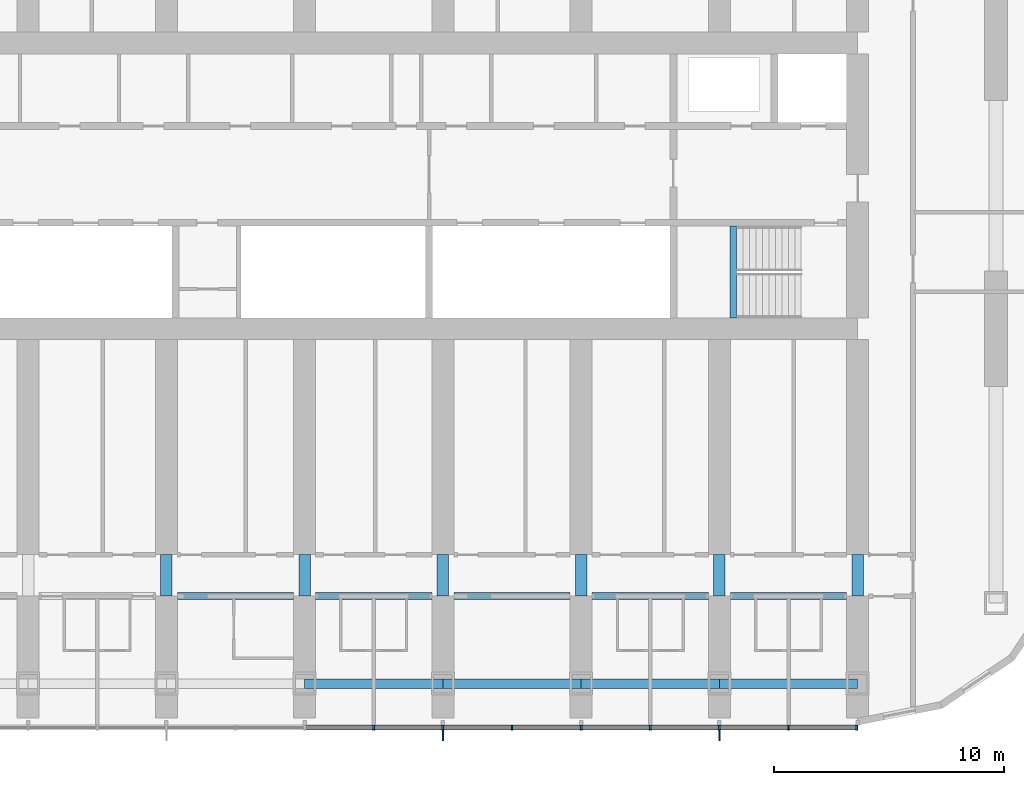
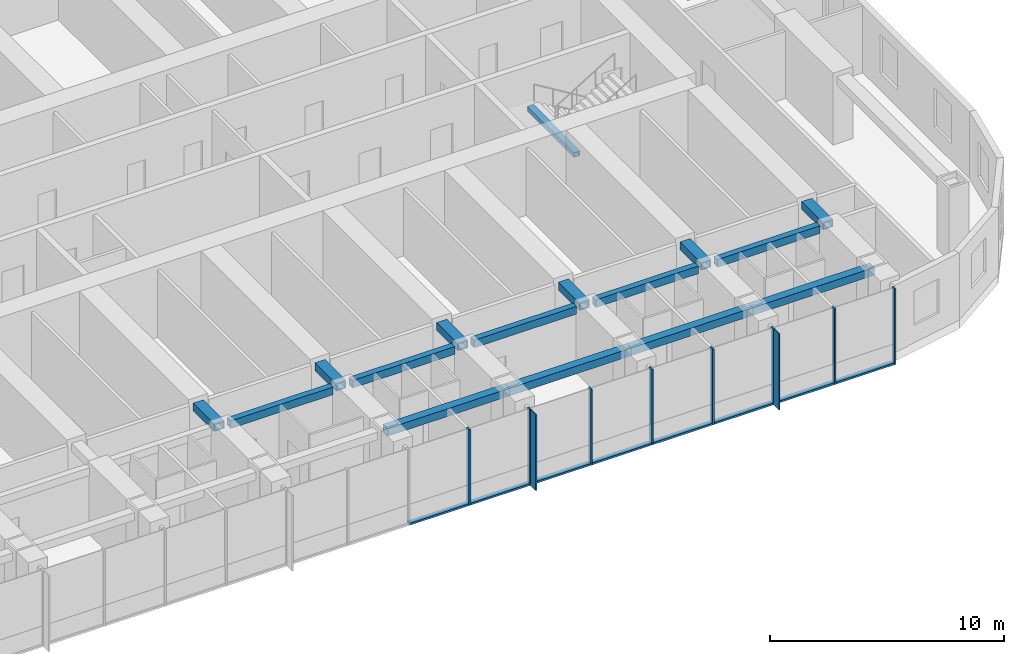
# One storey, part 5 of 25: 18 members, 16 beams, 1 element without a shape of its own.
"""IFC4 building model written with IfcOpenShell, lengths in metres."""

from ifc_helpers import new_model, si_unit, direction, frame, origin, origin_2d, place, context, subcontext, project, spatial, rectangle, hollow_rectangle, extrude, material, material_profile, profile_set, type_object, element, aggregate, save


model = new_model("IFC4")

# Units and contexts
model_context = context("Model", 3, precision=1e-05, world=origin(), true_north=direction((0.0, 1.0)))
body_context = subcontext(model_context, "Body", "Model", "MODEL_VIEW")
ifc_project = project(units=[si_unit("LENGTHUNIT", "METRE"), si_unit("AREAUNIT", "SQUARE_METRE"), si_unit("VOLUMEUNIT", "CUBIC_METRE"), si_unit("PLANEANGLEUNIT", "RADIAN"), si_unit("MASSUNIT", "GRAM", prefix="KILO")], contexts=[model_context])

# Site, building, storey
site_placement = place(None, origin())
site = spatial("IfcSite", under=ifc_project, at=site_placement, CompositionType="ELEMENT")
building_placement = place(site_placement, origin())
building = spatial("IfcBuilding", under=site, at=building_placement, Name="Orbita Commons", CompositionType="ELEMENT")
storey_placement = place(building_placement, frame((0.0, 0.0, 99.39990234375)))
storey = spatial("IfcBuildingStorey", under=building, at=storey_placement, Name="L24", CompositionType="ELEMENT", Elevation=99.39990234375)

# Curtain wall, members
ifc_material_1 = material(Name="Anodised aluminium frame, pale silver", Category="aluminium")
curtain_wall_type = type_object("IfcCurtainWallType", Name="Unitised curtain wall CW-T, vision and spandrel", PredefinedType="NOTDEFINED", material=ifc_material_1)
curtain_wall_placement = place(storey_placement, origin())
curtain_wall = element("IfcCurtainWall", 1, at=curtain_wall_placement, inside=storey, type_object=curtain_wall_type, Name="Curtain wall south L24", PredefinedType="NOTDEFINED")
ifc_material_2 = material(Name="Anodised aluminium, pale silver", Category="aluminium")
ifc_material_profile_1 = material_profile(ifc_material_2, rectangle(XDim=0.080078125, YDim=0.219970703125, at=origin_2d()), Name="AL 80x220")
ifc_profile_set_1 = profile_set([ifc_material_profile_1], Name="Anodised aluminium, pale silver")
member_type_1 = type_object("IfcMemberType", Name="Curtain wall mullion 80x220", PredefinedType="MULLION", material=ifc_profile_set_1)
member_1_placement = place(storey_placement, frame((45.0, 8.489990234375, -0.449951171875), z_axis=(0.0, 0.0, 1.0), x_axis=(1.0, 0.0, 0.0)))
member_1 = element("IfcMember", 2, at=member_1_placement, type_object=member_type_1, Name="Mullion 12 CW-L24-S", PredefinedType="MULLION", context=body_context, shape_type="SweptSolid", body=[
    extrude(rectangle(XDim=0.080078125, YDim=0.219970703125, at=origin_2d()), origin(), (0.0, 0.0, 1.0), 3.949951171875),
])
member_2_placement = place(storey_placement, frame((48.0, 8.489990234375, -0.449951171875), z_axis=(0.0, 0.0, 1.0), x_axis=(1.0, 0.0, 0.0)))
member_2 = element("IfcMember", 3, at=member_2_placement, type_object=member_type_1, Name="Mullion 13 CW-L24-S", PredefinedType="MULLION", context=body_context, shape_type="SweptSolid", body=[
    extrude(rectangle(XDim=0.080078125, YDim=0.219970703125, at=origin_2d()), origin(), (0.0, 0.0, 1.0), 3.949951171875),
])
member_3_placement = place(storey_placement, frame((51.0, 8.489990234375, -0.449951171875), z_axis=(0.0, 0.0, 1.0), x_axis=(1.0, 0.0, 0.0)))
member_3 = element("IfcMember", 4, at=member_3_placement, type_object=member_type_1, Name="Mullion 14 CW-L24-S", PredefinedType="MULLION", context=body_context, shape_type="SweptSolid", body=[
    extrude(rectangle(XDim=0.080078125, YDim=0.219970703125, at=origin_2d()), origin(), (0.0, 0.0, 1.0), 3.949951171875),
])
member_4_placement = place(storey_placement, frame((54.0, 8.489990234375, -0.449951171875), z_axis=(0.0, 0.0, 1.0), x_axis=(1.0, 0.0, 0.0)))
member_4 = element("IfcMember", 5, at=member_4_placement, type_object=member_type_1, Name="Mullion 15 CW-L24-S", PredefinedType="MULLION", context=body_context, shape_type="SweptSolid", body=[
    extrude(rectangle(XDim=0.080078125, YDim=0.219970703125, at=origin_2d()), origin(), (0.0, 0.0, 1.0), 3.949951171875),
])
member_5_placement = place(storey_placement, frame((57.0, 8.489990234375, -0.449951171875), z_axis=(0.0, 0.0, 1.0), x_axis=(1.0, 0.0, 0.0)))
member_5 = element("IfcMember", 6, at=member_5_placement, type_object=member_type_1, Name="Mullion 16 CW-L24-S", PredefinedType="MULLION", context=body_context, shape_type="SweptSolid", body=[
    extrude(rectangle(XDim=0.080078125, YDim=0.219970703125, at=origin_2d()), origin(), (0.0, 0.0, 1.0), 3.949951171875),
])
member_6_placement = place(storey_placement, frame((60.0, 8.489990234375, -0.449951171875), z_axis=(0.0, 0.0, 1.0), x_axis=(1.0, 0.0, 0.0)))
member_6 = element("IfcMember", 7, at=member_6_placement, type_object=member_type_1, Name="Mullion 17 CW-L24-S", PredefinedType="MULLION", context=body_context, shape_type="SweptSolid", body=[
    extrude(rectangle(XDim=0.080078125, YDim=0.219970703125, at=origin_2d()), origin(), (0.0, 0.0, 1.0), 3.949951171875),
])
member_7_placement = place(storey_placement, frame((63.0, 8.489990234375, -0.449951171875), z_axis=(0.0, 0.0, 1.0), x_axis=(1.0, 0.0, 0.0)))
member_7 = element("IfcMember", 8, at=member_7_placement, type_object=member_type_1, Name="Mullion 18 CW-L24-S", PredefinedType="MULLION", context=body_context, shape_type="SweptSolid", body=[
    extrude(rectangle(XDim=0.080078125, YDim=0.219970703125, at=origin_2d()), origin(), (0.0, 0.0, 1.0), 3.949951171875),
])
member_8_placement = place(storey_placement, frame((65.9599609375, 8.489990234375, -0.449951171875), z_axis=(0.0, 0.0, 1.0), x_axis=(1.0, 0.0, 0.0)))
member_8 = element("IfcMember", 9, at=member_8_placement, type_object=member_type_1, Name="Mullion 19 CW-L24-S", PredefinedType="MULLION", context=body_context, shape_type="SweptSolid", body=[
    extrude(rectangle(XDim=0.080078125, YDim=0.219970703125, at=origin_2d()), origin(), (0.0, 0.0, 1.0), 3.949951171875),
])
ifc_material_3 = material(Name="Anodised aluminium, pale silver", Category="aluminium")
ifc_material_profile_2 = material_profile(ifc_material_3, rectangle(XDim=0.219970703125, YDim=0.10009765625, at=origin_2d()), Name="AL 220x100")
ifc_profile_set_2 = profile_set([ifc_material_profile_2], Name="Anodised aluminium, pale silver")
member_type_2 = type_object("IfcMemberType", Name="Curtain wall stack transom 220x100", PredefinedType="USERDEFINED", material=ifc_profile_set_2)
member_9_placement = place(storey_placement, frame((42.0400390625, 8.489990234375, -0.39990234375), z_axis=(1.0, 0.0, 0.0), x_axis=(0.0, 1.0, 0.0)))
member_9 = element("IfcMember", 10, at=member_9_placement, type_object=member_type_2, Name="Transom 11.1 CW-L24-S", ObjectType="TRANSOM", PredefinedType="USERDEFINED", context=body_context, shape_type="SweptSolid", body=[
    extrude(rectangle(XDim=0.219970703125, YDim=0.10009765625, at=origin_2d()), origin(), (0.0, 0.0, 1.0), 2.919921875),
])
member_10_placement = place(storey_placement, frame((45.0400390625, 8.489990234375, -0.39990234375), z_axis=(1.0, 0.0, 0.0), x_axis=(0.0, 1.0, 0.0)))
member_10 = element("IfcMember", 11, at=member_10_placement, type_object=member_type_2, Name="Transom 12.1 CW-L24-S", ObjectType="TRANSOM", PredefinedType="USERDEFINED", context=body_context, shape_type="SweptSolid", body=[
    extrude(rectangle(XDim=0.219970703125, YDim=0.10009765625, at=origin_2d()), origin(), (0.0, 0.0, 1.0), 2.919921875),
])
member_11_placement = place(storey_placement, frame((48.0400390625, 8.489990234375, -0.39990234375), z_axis=(1.0, 0.0, 0.0), x_axis=(0.0, 1.0, 0.0)))
member_11 = element("IfcMember", 12, at=member_11_placement, type_object=member_type_2, Name="Transom 13.1 CW-L24-S", ObjectType="TRANSOM", PredefinedType="USERDEFINED", context=body_context, shape_type="SweptSolid", body=[
    extrude(rectangle(XDim=0.219970703125, YDim=0.10009765625, at=origin_2d()), origin(), (0.0, 0.0, 1.0), 2.919921875),
])
member_12_placement = place(storey_placement, frame((51.0400390625, 8.489990234375, -0.39990234375), z_axis=(1.0, 0.0, 0.0), x_axis=(0.0, 1.0, 0.0)))
member_12 = element("IfcMember", 13, at=member_12_placement, type_object=member_type_2, Name="Transom 14.1 CW-L24-S", ObjectType="TRANSOM", PredefinedType="USERDEFINED", context=body_context, shape_type="SweptSolid", body=[
    extrude(rectangle(XDim=0.219970703125, YDim=0.10009765625, at=origin_2d()), origin(), (0.0, 0.0, 1.0), 2.919921875),
])
member_13_placement = place(storey_placement, frame((54.0400390625, 8.489990234375, -0.39990234375), z_axis=(1.0, 0.0, 0.0), x_axis=(0.0, 1.0, 0.0)))
member_13 = element("IfcMember", 14, at=member_13_placement, type_object=member_type_2, Name="Transom 15.1 CW-L24-S", ObjectType="TRANSOM", PredefinedType="USERDEFINED", context=body_context, shape_type="SweptSolid", body=[
    extrude(rectangle(XDim=0.219970703125, YDim=0.10009765625, at=origin_2d()), origin(), (0.0, 0.0, 1.0), 2.919921875),
])
member_14_placement = place(storey_placement, frame((57.0400390625, 8.489990234375, -0.39990234375), z_axis=(1.0, 0.0, 0.0), x_axis=(0.0, 1.0, 0.0)))
member_14 = element("IfcMember", 15, at=member_14_placement, type_object=member_type_2, Name="Transom 16.1 CW-L24-S", ObjectType="TRANSOM", PredefinedType="USERDEFINED", context=body_context, shape_type="SweptSolid", body=[
    extrude(rectangle(XDim=0.219970703125, YDim=0.10009765625, at=origin_2d()), origin(), (0.0, 0.0, 1.0), 2.919921875),
])
member_15_placement = place(storey_placement, frame((60.0400390625, 8.489990234375, -0.39990234375), z_axis=(1.0, 0.0, 0.0), x_axis=(0.0, 1.0, 0.0)))
member_15 = element("IfcMember", 16, at=member_15_placement, type_object=member_type_2, Name="Transom 17.1 CW-L24-S", ObjectType="TRANSOM", PredefinedType="USERDEFINED", context=body_context, shape_type="SweptSolid", body=[
    extrude(rectangle(XDim=0.219970703125, YDim=0.10009765625, at=origin_2d()), origin(), (0.0, 0.0, 1.0), 2.919921875),
])
member_16_placement = place(storey_placement, frame((63.0400390625, 8.489990234375, -0.39990234375), z_axis=(1.0, 0.0, 0.0), x_axis=(0.0, 1.0, 0.0)))
member_16 = element("IfcMember", 17, at=member_16_placement, type_object=member_type_2, Name="Transom 18.1 CW-L24-S", ObjectType="TRANSOM", PredefinedType="USERDEFINED", context=body_context, shape_type="SweptSolid", body=[
    extrude(rectangle(XDim=0.219970703125, YDim=0.10009765625, at=origin_2d()), origin(), (0.0, 0.0, 1.0), 2.8798828125),
])

# Beams
ifc_material_4 = material(Name="Steel ASTM A572 Gr 50 welded plate", Category="steel")
ifc_material_profile_3 = material_profile(ifc_material_4, hollow_rectangle(XDim=0.300048828125, YDim=0.25, WallThickness=0.02490234375, at=origin_2d()), Name="BOX 250x300x25")
ifc_profile_set_3 = profile_set([ifc_material_profile_3], Name="Steel ASTM A572 Gr 50 welded plate")
beam_type_1 = type_object("IfcBeamType", Name="Stair landing beam steel BOX 250x300x25", PredefinedType="BEAM", material=ifc_profile_set_3)
beam_placement = place(storey_placement, frame((60.60009765625, 26.260009765625, 1.550048828125), z_axis=(0.0, 1.0, 0.0), x_axis=(-1.0, 0.0, 0.0)))
element("IfcBeam", 18, at=beam_placement, inside=storey, type_object=beam_type_1, Name="Stair S2 landing beam L24 1", PredefinedType="BEAM", context=body_context, shape_type="SweptSolid", body=[
    extrude(hollow_rectangle(XDim=0.300048828125, YDim=0.25, WallThickness=0.02490234375, at=origin_2d()), origin(), (0.0, 0.0, 1.0), 4.0048828125),
])
ifc_material_5 = material(Name="Steel ASTM A572 Gr 50 welded plate", Category="steel")
ifc_material_profile_4 = material_profile(ifc_material_5, hollow_rectangle(XDim=0.300048828125, YDim=0.39990234375, WallThickness=0.0400390625, at=origin_2d()), Name="BOX 400x300x40")
ifc_profile_set_4 = profile_set([ifc_material_profile_4], Name="Steel ASTM A572 Gr 50 welded plate")
beam_type_2 = type_object("IfcBeamType", Name="Steel corridor link BOX 400x300x40", PredefinedType="BEAM", material=ifc_profile_set_4)
for number, where, z_axis, x_axis, name in (
    (19, (36.47509765625, 14.199951171875, 3.300048828125), (1.0, 0.0, 0.0), (0.0, 1.0, 0.0), "Corridor beam SA 7-8 L24"),
    (20, (42.47509765625, 14.199951171875, 3.300048828125), (1.0, 0.0, 0.0), (0.0, 1.0, 0.0), "Corridor beam SA 8-9 L24"),
    (21, (48.47509765625, 14.199951171875, 3.300048828125), (1.0, 0.0, 0.0), (0.0, 1.0, 0.0), "Corridor beam SA 9-10 L24"),
    (22, (54.47509765625, 14.199951171875, 3.300048828125), (1.0, 0.0, 0.0), (0.0, 1.0, 0.0), "Corridor beam SA 10-11 L24"),
    (23, (60.47509765625, 14.199951171875, 3.300048828125), (1.0, 0.0, 0.0), (0.0, 1.0, 0.0), "Corridor beam SA 11-12 L24"),
):
    element("IfcBeam", number, at=place(storey_placement, frame(where, z_axis=z_axis, x_axis=x_axis)), inside=storey, type_object=beam_type_2, Name=name, PredefinedType="BEAM", context=body_context, shape_type="SweptSolid", body=[
        extrude(hollow_rectangle(XDim=0.300048828125, YDim=0.39990234375, WallThickness=0.0400390625, at=origin_2d()), origin(), (0.0, 0.0, 1.0), 5.0498046875),
    ])
ifc_material_6 = material(Name="Steel ASTM A572 Gr 50 welded plate", Category="steel")
ifc_material_profile_5 = material_profile(ifc_material_6, hollow_rectangle(XDim=0.5, YDim=0.39990234375, WallThickness=0.050048828125, at=origin_2d()), Name="BOX 400x500x50")
ifc_profile_set_5 = profile_set([ifc_material_profile_5], Name="Steel ASTM A572 Gr 50 welded plate")
beam_type_3 = type_object("IfcBeamType", Name="Steel coupling link BOX 400x500x50", PredefinedType="LINTEL", material=ifc_profile_set_5)
for number, where, z_axis, x_axis, name in (
    (24, (36.0, 14.199951171875, 3.300048828125), (0.0, 1.0, 0.0), (-1.0, 0.0, 0.0), "Coupling beam 7 south L24"),
    (25, (42.0, 14.199951171875, 3.300048828125), (0.0, 1.0, 0.0), (-1.0, 0.0, 0.0), "Coupling beam 8 south L24"),
    (26, (48.0, 14.199951171875, 3.300048828125), (0.0, 1.0, 0.0), (-1.0, 0.0, 0.0), "Coupling beam 9 south L24"),
    (27, (54.0, 14.199951171875, 3.300048828125), (0.0, 1.0, 0.0), (-1.0, 0.0, 0.0), "Coupling beam 10 south L24"),
    (28, (60.0, 14.199951171875, 3.300048828125), (0.0, 1.0, 0.0), (-1.0, 0.0, 0.0), "Coupling beam 11 south L24"),
    (29, (66.0, 14.199951171875, 3.300048828125), (0.0, 1.0, 0.0), (-1.0, 0.0, 0.0), "Coupling beam 12 south L24"),
):
    element("IfcBeam", number, at=place(storey_placement, frame(where, z_axis=z_axis, x_axis=x_axis)), inside=storey, type_object=beam_type_3, Name=name, PredefinedType="LINTEL", context=body_context, shape_type="SweptSolid", body=[
        extrude(hollow_rectangle(XDim=0.5, YDim=0.39990234375, WallThickness=0.050048828125, at=origin_2d()), origin(), (0.0, 0.0, 1.0), 1.800048828125),
    ])
ifc_material_7 = material(Name="Steel ASTM A572 Gr 50 welded plate", Category="steel")
ifc_material_profile_6 = material_profile(ifc_material_7, hollow_rectangle(XDim=0.39990234375, YDim=0.39990234375, WallThickness=0.0400390625, at=origin_2d()), Name="BOX 400x400x40")
ifc_profile_set_6 = profile_set([ifc_material_profile_6], Name="Steel ASTM A572 Gr 50 welded plate")
beam_type_4 = type_object("IfcBeamType", Name="Steel spandrel BOX 400x400x40", PredefinedType="SPANDREL", material=ifc_profile_set_6)
for number, where, z_axis, x_axis, name in (
    (30, (42.0, 10.39990234375, 3.300048828125), (1.0, 0.0, 0.0), (0.0, 1.0, 0.0), "Spandrel beam B 8-9 L24"),
    (31, (48.0, 10.39990234375, 3.300048828125), (1.0, 0.0, 0.0), (0.0, 1.0, 0.0), "Spandrel beam B 9-10 L24"),
    (32, (54.0, 10.39990234375, 3.300048828125), (1.0, 0.0, 0.0), (0.0, 1.0, 0.0), "Spandrel beam B 10-11 L24"),
    (33, (60.0, 10.39990234375, 3.300048828125), (1.0, 0.0, 0.0), (0.0, 1.0, 0.0), "Spandrel beam B 11-12 L24"),
):
    element("IfcBeam", number, at=place(storey_placement, frame(where, z_axis=z_axis, x_axis=x_axis)), inside=storey, type_object=beam_type_4, Name=name, PredefinedType="SPANDREL", context=body_context, shape_type="SweptSolid", body=[
        extrude(hollow_rectangle(XDim=0.39990234375, YDim=0.39990234375, WallThickness=0.0400390625, at=origin_2d()), origin(), (0.0, 0.0, 1.0), 6.0),
    ])

# Member
ifc_material_8 = material(Name="Anodised aluminium, pale silver", Category="aluminium")
ifc_material_profile_7 = material_profile(ifc_material_8, rectangle(XDim=0.06005859375, YDim=0.449951171875, at=origin_2d()), Name="FIN 60x450")
ifc_profile_set_7 = profile_set([ifc_material_profile_7], Name="Anodised aluminium, pale silver")
member_type_3 = type_object("IfcMemberType", Name="Vertical fin 60x450 pale aluminium", PredefinedType="USERDEFINED", material=ifc_profile_set_7)
member_17_placement = place(storey_placement, frame((48.0, 8.155029296875, -0.449951171875), z_axis=(0.0, 0.0, 1.0), x_axis=(1.0, 0.0, 0.0)))
member_17 = element("IfcMember", 34, at=member_17_placement, type_object=member_type_3, Name="Fin 13 CW-L24-S", ObjectType="FIN", PredefinedType="USERDEFINED", context=body_context, shape_type="SweptSolid", body=[
    extrude(rectangle(XDim=0.06005859375, YDim=0.449951171875, at=origin_2d()), origin(), (0.0, 0.0, 1.0), 3.949951171875),
])

member_18_placement = place(storey_placement, frame((60.0, 8.155029296875, -0.449951171875), z_axis=(0.0, 0.0, 1.0), x_axis=(1.0, 0.0, 0.0)))
member_18 = element("IfcMember", 35, at=member_18_placement, type_object=member_type_3, Name="Fin 17 CW-L24-S", ObjectType="FIN", PredefinedType="USERDEFINED", context=body_context, shape_type="SweptSolid", body=[
    extrude(rectangle(XDim=0.06005859375, YDim=0.449951171875, at=origin_2d()), origin(), (0.0, 0.0, 1.0), 3.949951171875),
])

aggregate(curtain_wall, [member_1, member_2, member_17, member_3, member_4, member_5, member_6, member_18, member_7, member_8, member_9, member_10, member_11, member_12, member_13, member_14, member_15, member_16])

save(model, "model.ifc")
